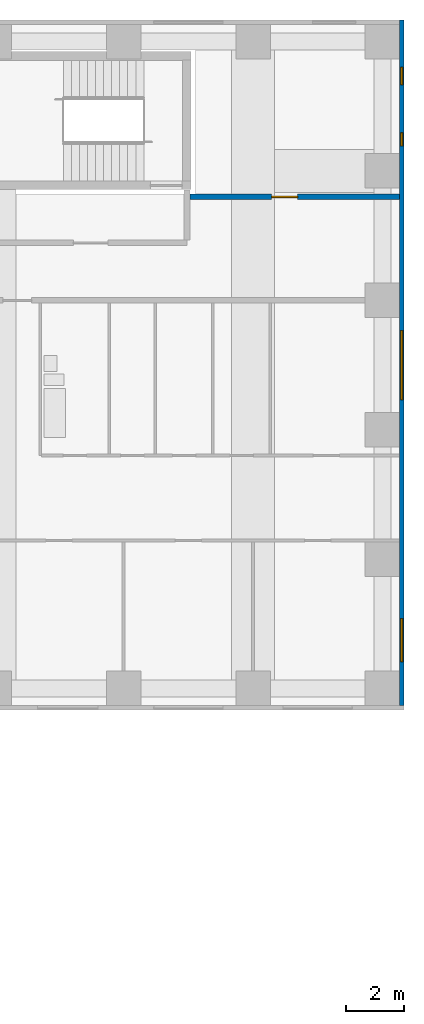
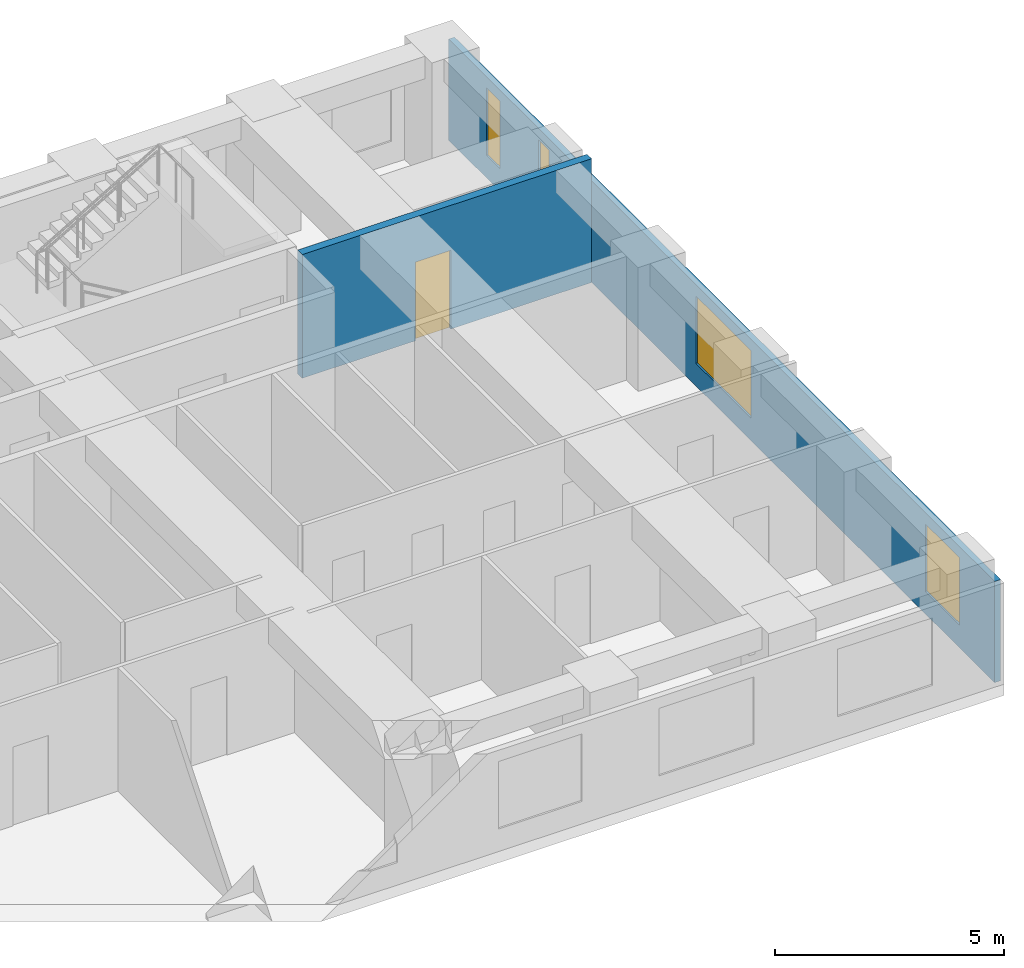
# One storey, part 9 of 12: 4 windows, 2 walls, 1 door, 5 openings.
"""IFC4 building model written with IfcOpenShell, lengths in metres."""

import ifcopenshell
import ifcopenshell.guid

model = None  # the IFC model being written
_history = None  # IfcOwnerHistory: only IFC2X3 demands one
_inside = {}  # id of a spatial element -> (the spatial element, [elements in it])
_under = {}  # id of a project, library or spatial element -> (it, [spatial elements below it])
_declared = {}  # id of a project -> (the project, [libraries it declares])
_typed = {}  # id of a type object -> (the type object, [elements of that type])
_made_of = {}  # id of a material, layer set ... -> (it, [elements and type objects made of it])


def new_model(schema):
    """Start an empty IFC model of exactly this schema.

    Asked for "IFC4X3", IfcOpenShell would pick the latest addendum, in which some entities
    have other attributes; the version numbers below select the first issue.
    IFC2X3 requires an IfcOwnerHistory on every rooted entity: one is made here for all.
    """
    global model, _history
    if schema == "IFC4X3":
        model = ifcopenshell.file(schema_version=(4, 3, 0, 0))
    else:
        model = ifcopenshell.file(schema=schema)
    _inside.clear()
    _under.clear()
    _declared.clear()
    _typed.clear()
    _made_of.clear()
    _history = None
    if model.schema == "IFC2X3":
        org = make("IfcOrganization", Name="unknown")
        user = make(
            "IfcPersonAndOrganization",
            ThePerson=make("IfcPerson", FamilyName="unknown"),
            TheOrganization=org,
        )
        app = make(
            "IfcApplication",
            ApplicationDeveloper=org,
            Version="unknown",
            ApplicationFullName="unknown",
            ApplicationIdentifier="unknown",
        )
        _history = make(
            "IfcOwnerHistory",
            OwningUser=user,
            OwningApplication=app,
            ChangeAction="ADDED",
            CreationDate=0,
        )
    return model


def make(cls, **values):
    """One entity of the class cls with the attributes given. An attribute that is None is left unset."""
    return model.create_entity(
        cls, **{name: value for name, value in values.items() if value is not None}
    )


def rooted(cls, **values):
    """An entity with a GlobalId (a new one), such as an element, a storey or a relation."""
    return make(cls, GlobalId=ifcopenshell.guid.new(), OwnerHistory=_history, **values)


def si_unit(unit_type, name, prefix=None):
    """IfcSIUnit, for example si_unit("LENGTHUNIT", "METRE", prefix="MILLI")."""
    return make("IfcSIUnit", UnitType=unit_type, Prefix=prefix, Name=name)


def assignment(units):
    """IfcUnitAssignment: the units of a project."""
    return None if units is None else make("IfcUnitAssignment", Units=units)


def point(xyz):
    """IfcCartesianPoint."""
    return None if xyz is None else make("IfcCartesianPoint", Coordinates=xyz)


def direction(xyz):
    """IfcDirection."""
    return None if xyz is None else make("IfcDirection", DirectionRatios=xyz)


def frame(location, z_axis=None, x_axis=None):
    """IfcAxis2Placement3D, a coordinate frame: its origin and axes. An axis left out is left unset."""
    return make(
        "IfcAxis2Placement3D",
        Location=point(location),
        Axis=direction(z_axis),
        RefDirection=direction(x_axis),
    )


def frame_2d(location, x_axis=None):
    """IfcAxis2Placement2D, a coordinate frame in the plane: its origin and x axis."""
    return make(
        "IfcAxis2Placement2D", Location=point(location), RefDirection=direction(x_axis)
    )


def origin():
    """The frame at (0, 0, 0) with its axes left unset."""
    return frame((0.0, 0.0, 0.0))


def place(relative_to, where):
    """IfcLocalPlacement: puts the frame where relative to a parent placement (None: the world)."""
    return make(
        "IfcLocalPlacement", PlacementRelTo=relative_to, RelativePlacement=where
    )


def context(
    kind, dimensions, precision=None, world=None, true_north=None, identifier=None
):
    """IfcGeometricRepresentationContext, for example the 3D "Model" context."""
    return make(
        "IfcGeometricRepresentationContext",
        ContextIdentifier=identifier,
        ContextType=kind,
        CoordinateSpaceDimension=dimensions,
        Precision=precision,
        WorldCoordinateSystem=world,
        TrueNorth=true_north,
    )


def subcontext(parent, identifier, kind, view, scale=None):
    """IfcGeometricRepresentationSubContext, for example "Body" below "Model"."""
    return make(
        "IfcGeometricRepresentationSubContext",
        ContextIdentifier=identifier,
        ContextType=kind,
        ParentContext=parent,
        TargetScale=scale,
        TargetView=view,
    )


def project(units=None, contexts=None):
    """IfcProject with its units and contexts."""
    return rooted(
        "IfcProject",
        Name="project",
        RepresentationContexts=contexts,
        UnitsInContext=assignment(units),
    )


def spatial(cls, under=None, at=None, **own):
    """A site, building, storey or space (cls), placed at a placement, below another one or the project."""
    s = rooted(cls, ObjectPlacement=at, **own)
    if under is not None:
        _under.setdefault(under.id(), (under, []))[1].append(s)
    return s


def profile(cls, at=None, kind="AREA", **sizes):
    """A parametric profile (cls). Its sizes go by their IFC names, for example OverallWidth=200.0."""
    return make(cls, ProfileType=kind, Position=at, **sizes)


def rectangle(**sizes):
    """IfcRectangleProfileDef."""
    return profile("IfcRectangleProfileDef", **sizes)


def extrude(swept, where, along, depth):
    """IfcExtrudedAreaSolid: the profile swept, set in the frame where, extruded along a direction by depth."""
    return make(
        "IfcExtrudedAreaSolid",
        SweptArea=swept,
        Position=where,
        ExtrudedDirection=direction(along),
        Depth=depth,
    )


def shape(context_of_items, identifier, shape_type, items):
    """IfcShapeRepresentation: the items that make up one representation, for example the "Body"."""
    return make(
        "IfcShapeRepresentation",
        ContextOfItems=context_of_items,
        RepresentationIdentifier=identifier,
        RepresentationType=shape_type,
        Items=items,
    )


def material(Name=None, Category=None):
    """IfcMaterial."""
    return make("IfcMaterial", Name=Name, Category=Category)


def layer(
    of_material, thickness, ventilated=None, Name=None, Category=None, Priority=None
):
    """IfcMaterialLayer: one layer of a wall or slab, of a material (None: an air gap)."""
    return make(
        "IfcMaterialLayer",
        Material=of_material,
        LayerThickness=thickness,
        IsVentilated=ventilated,
        Name=Name,
        Category=Category,
        Priority=Priority,
    )


def layer_set(layers, Name=None):
    """IfcMaterialLayerSet."""
    return make("IfcMaterialLayerSet", MaterialLayers=layers, LayerSetName=Name)


def made_of(thing, what):
    """Note that an element or type object is made of a material, layer set ...; save() writes the relation."""
    if what is not None:
        _made_of.setdefault(what.id(), (what, []))[1].append(thing)
    return thing


def type_object(cls, material=None, **own):
    """A type object (cls), such as IfcWallType, which elements share."""
    return made_of(rooted(cls, **own), material)


def element(
    cls,
    number,
    at=None,
    inside=None,
    cuts=None,
    type_object=None,
    material=None,
    context=None,
    identifier="Body",
    shape_type=None,
    held_by="IfcProductDefinitionShape",
    body=None,
    shapes=None,
    **own,
):
    """One element of the class cls, such as IfcWall. Its Tag is "e" and its number.

    at: its placement. inside: the storey or other place that contains it. cuts: it is an
    opening in that element (IfcRelVoidsElement). A single representation is given by context,
    identifier, shape_type and body (its items); several are given by shapes. held_by: the class
    of the entity that holds the representations. save() writes the other relations.
    """
    e = rooted(cls, Tag="e%d" % number, ObjectPlacement=at, **own)
    if body is not None:
        shapes = [shape(context, identifier, shape_type, body)]
    if shapes is not None:
        e.Representation = make(held_by, Representations=shapes)
    if inside is not None:
        _inside.setdefault(inside.id(), (inside, []))[1].append(e)
    if cuts is not None:
        rooted(
            "IfcRelVoidsElement", RelatingBuildingElement=cuts, RelatedOpeningElement=e
        )
    if type_object is not None:
        _typed.setdefault(type_object.id(), (type_object, []))[1].append(e)
    return made_of(e, material)


def fill(opening, filler):
    """IfcRelFillsElement: the door or window that sits in an opening."""
    return rooted(
        "IfcRelFillsElement",
        RelatingOpeningElement=opening,
        RelatedBuildingElement=filler,
    )


def aggregate(whole, parts):
    """IfcRelAggregates: a whole, such as a stair, and the parts it consists of."""
    return rooted("IfcRelAggregates", RelatingObject=whole, RelatedObjects=parts)


def save(model, path):
    """Write the relations noted so far, then the file.

    IfcRelAggregates (storeys below a building ...), IfcRelContainedInSpatialStructure (elements
    in a storey), IfcRelDefinesByType, IfcRelAssociatesMaterial and IfcRelDeclares: one each for
    every whole, place, type object, material and project.
    """
    for whole, parts in _under.values():
        aggregate(whole, parts)
    for where, things in _inside.values():
        rooted(
            "IfcRelContainedInSpatialStructure",
            RelatedElements=things,
            RelatingStructure=where,
        )
    for kind, things in _typed.values():
        rooted("IfcRelDefinesByType", RelatedObjects=things, RelatingType=kind)
    for what, things in _made_of.values():
        rooted("IfcRelAssociatesMaterial", RelatedObjects=things, RelatingMaterial=what)
    for by, libraries in _declared.values():
        rooted("IfcRelDeclares", RelatingContext=by, RelatedDefinitions=libraries)
    model.write(path)


model = new_model("IFC4")

# Units and contexts
model_context = context("Model", 3, precision=1e-05, world=origin(), true_north=direction((0.0, 1.0)))
body_context = subcontext(model_context, "Body", "Model", "MODEL_VIEW")
ifc_project = project(units=[si_unit("LENGTHUNIT", "METRE"), si_unit("AREAUNIT", "SQUARE_METRE"), si_unit("VOLUMEUNIT", "CUBIC_METRE"), si_unit("PLANEANGLEUNIT", "RADIAN"), si_unit("MASSUNIT", "GRAM", prefix="KILO")], contexts=[model_context])

# Site, building, storey
site_placement = place(None, origin())
site = spatial("IfcSite", under=ifc_project, at=site_placement, CompositionType="ELEMENT")
building_placement = place(site_placement, origin())
building = spatial("IfcBuilding", under=site, at=building_placement, Name="Firuza Court", CompositionType="ELEMENT")
storey_placement = place(building_placement, frame((0.0, 0.0, 54.199951171875)))
storey = spatial("IfcBuildingStorey", under=building, at=storey_placement, Name="L12", CompositionType="ELEMENT", Elevation=54.199951171875)

# Wall, opening, door
ifc_material_1 = material(Name="Blockwork, plastered both sides", Category="masonry")
ifc_layer_1 = layer(ifc_material_1, 0.199951171875)
ifc_layer_set_1 = layer_set([ifc_layer_1], Name="Blockwork, plastered both sides")
wall_type_1 = type_object("IfcWallType", Name="Corridor wall 200", PredefinedType="PARTITIONING", material=ifc_layer_set_1)
wall_1_placement = place(storey_placement, frame((60.800048828125, 53.10009765625, 0.0), z_axis=(0.0, 0.0, 1.0), x_axis=(1.0, 0.0, 0.0)))
wall_1 = element("IfcWall", 1, at=wall_1_placement, inside=storey, type_object=wall_type_1, Name="Corridor wall 200 L12", PredefinedType="PARTITIONING", context=body_context, shape_type="SweptSolid", body=[
    extrude(rectangle(XDim=7.300048828125, YDim=0.199951171875, at=frame_2d((3.64990234375, 0.0))), origin(), (0.0, 0.0, 1.0), 3.300048828125),
])
opening_1_placement = place(wall_1_placement, frame((2.85009765625, 0.0, 0.0)))
opening_1 = element("IfcOpeningElement", 2, at=opening_1_placement, cuts=wall_1, Name="Opening D12079", PredefinedType="OPENING", context=body_context, shape_type="SweptSolid", body=[
    extrude(rectangle(XDim=0.89990234375, YDim=2.10009765625, at=frame_2d((0.449951171875, 1.050048828125))), frame((0.0, 0.11181640625, 0.0), z_axis=(0.0, -1.0, 0.0), x_axis=(1.0, 0.0, 0.0)), (0.0, 0.0, 1.0), 0.223876953125),
])
ifc_material_2 = material(Name="Timber door leaf in hardwood frame", Category="wood")
door_type = type_object("IfcDoorType", Name="Room door 900 EI 30", OperationType="SINGLE_SWING_LEFT", PredefinedType="DOOR", material=ifc_material_2)
door_placement = place(opening_1_placement, origin())
door = element("IfcDoor", 3, at=door_placement, inside=storey, type_object=door_type, Name="Meeting room door", OperationType="SINGLE_SWING_LEFT", OverallHeight=2.10009765625, OverallWidth=0.89990234375, PredefinedType="DOOR", context=body_context, shape_type="SweptSolid", body=[
    extrude(rectangle(XDim=0.89990234375, YDim=2.10009765625, at=frame_2d((0.449951171875, 1.050048828125))), frame((0.0, 0.02490234375, 0.0), z_axis=(0.0, -1.0, 0.0), x_axis=(1.0, 0.0, 0.0)), (0.0, 0.0, 1.0), 0.050048828125),
])
fill(opening_1, door)

# Wall, openings, windows
ifc_material_3 = material(Name="Ceramic tile", Category="ceramic")
ifc_layer_2 = layer(ifc_material_3, 0.02001953125)
ifc_material_4 = material(Name="Mineral wool insulation", Category="insulation")
ifc_layer_3 = layer(ifc_material_4, 0.050048828125)
ifc_material_5 = material(Name="Concrete C40/50 precast", Category="concrete")
ifc_layer_4 = layer(ifc_material_5, 0.080078125)
ifc_layer_set_2 = layer_set([ifc_layer_2, ifc_layer_3, ifc_layer_4], Name="Concrete C40/50 precast")
wall_type_2 = type_object("IfcWallType", Name="Precast cladding wall with turquoise TILE PANEL face 150", PredefinedType="STANDARD", material=ifc_layer_set_2)
wall_2_placement = place(storey_placement, frame((68.175048828125, 35.39990234375, 0.0), z_axis=(0.0, 0.0, 1.0), x_axis=(0.0, 1.0, 0.0)))
wall_2 = element("IfcWall", 4, at=wall_2_placement, inside=storey, type_object=wall_type_2, Name="Facade wall L12 E", PredefinedType="STANDARD", context=body_context, shape_type="SweptSolid", body=[
    extrude(rectangle(XDim=23.85009765625, YDim=0.14990234375, at=frame_2d((11.925048828125, 0.0))), origin(), (0.0, 0.0, 1.0), 2.699951171875),
])
opening_2_placement = place(wall_2_placement, frame((1.529541015625, 0.0, 0.60009765625)))
opening_2 = element("IfcOpeningElement", 5, at=opening_2_placement, cuts=wall_2, Name="Opening W2", PredefinedType="OPENING", context=body_context, shape_type="SweptSolid", body=[
    extrude(rectangle(XDim=1.5, YDim=1.800048828125, at=frame_2d((0.75, 0.89990234375))), frame((0.0, 0.0869140625, 0.0), z_axis=(0.0, -1.0, 0.0), x_axis=(1.0, 0.0, 0.0)), (0.0, 0.0, 1.0), 0.173828125),
])
opening_3_placement = place(wall_2_placement, frame((10.64990234375, 0.0, 0.60009765625)))
opening_3 = element("IfcOpeningElement", 6, at=opening_3_placement, cuts=wall_2, Name="Opening W1", PredefinedType="OPENING", context=body_context, shape_type="SweptSolid", body=[
    extrude(rectangle(XDim=2.39990234375, YDim=1.800048828125, at=frame_2d((1.199951171875, 0.89990234375))), frame((0.0, 0.0869140625, 0.0), z_axis=(0.0, -1.0, 0.0), x_axis=(1.0, 0.0, 0.0)), (0.0, 0.0, 1.0), 0.173828125),
])
opening_4_placement = place(wall_2_placement, frame((19.47021484375, 0.0, 0.60009765625)))
opening_4 = element("IfcOpeningElement", 7, at=opening_4_placement, cuts=wall_2, Name="Opening W5", PredefinedType="OPENING", context=body_context, shape_type="SweptSolid", body=[
    extrude(rectangle(XDim=0.449951171875, YDim=1.800048828125, at=frame_2d((0.22509765625, 0.89990234375))), frame((0.0, 0.0869140625, 0.0), z_axis=(0.0, -1.0, 0.0), x_axis=(1.0, 0.0, 0.0)), (0.0, 0.0, 1.0), 0.173828125),
])
opening_5_placement = place(wall_2_placement, frame((21.6005859375, 0.0, 0.60009765625)))
opening_5 = element("IfcOpeningElement", 8, at=opening_5_placement, cuts=wall_2, Name="Opening W4", PredefinedType="OPENING", context=body_context, shape_type="SweptSolid", body=[
    extrude(rectangle(XDim=0.60009765625, YDim=1.800048828125, at=frame_2d((0.300048828125, 0.89990234375))), frame((0.0, 0.0869140625, 0.0), z_axis=(0.0, -1.0, 0.0), x_axis=(1.0, 0.0, 0.0)), (0.0, 0.0, 1.0), 0.173828125),
])
ifc_material_6 = material(Name="Aluminium frame, triple clear glazing", Category="aluminium")
window_type_1 = type_object("IfcWindowType", Name="Window W1 2400 x 1800", PartitioningType="SINGLE_PANEL", PredefinedType="WINDOW", material=ifc_material_6)
window_1_placement = place(opening_3_placement, origin())
window_1 = element("IfcWindow", 9, at=window_1_placement, inside=storey, type_object=window_type_1, Name="Window L12", OverallHeight=1.800048828125, OverallWidth=2.39990234375, PartitioningType="SINGLE_PANEL", PredefinedType="WINDOW", context=body_context, shape_type="SweptSolid", body=[
    extrude(rectangle(XDim=2.39990234375, YDim=1.800048828125, at=frame_2d((1.199951171875, 0.89990234375))), frame((0.0, 0.030029296875, 0.0), z_axis=(0.0, -1.0, 0.0), x_axis=(1.0, 0.0, 0.0)), (0.0, 0.0, 1.0), 0.06005859375),
])
fill(opening_3, window_1)
ifc_material_7 = material(Name="Aluminium frame, triple clear glazing", Category="aluminium")
window_type_2 = type_object("IfcWindowType", Name="Window W2 1500 x 1800", PartitioningType="SINGLE_PANEL", PredefinedType="WINDOW", material=ifc_material_7)
window_2_placement = place(opening_2_placement, origin())
window_2 = element("IfcWindow", 10, at=window_2_placement, inside=storey, type_object=window_type_2, Name="Window L12", OverallHeight=1.800048828125, OverallWidth=1.5, PartitioningType="SINGLE_PANEL", PredefinedType="WINDOW", context=body_context, shape_type="SweptSolid", body=[
    extrude(rectangle(XDim=1.5, YDim=1.800048828125, at=frame_2d((0.75, 0.89990234375))), frame((0.0, 0.030029296875, 0.0), z_axis=(0.0, -1.0, 0.0), x_axis=(1.0, 0.0, 0.0)), (0.0, 0.0, 1.0), 0.06005859375),
])
fill(opening_2, window_2)
ifc_material_8 = material(Name="Aluminium frame, triple clear glazing", Category="aluminium")
window_type_3 = type_object("IfcWindowType", Name="Window W4 600 x 1800", PartitioningType="SINGLE_PANEL", PredefinedType="WINDOW", material=ifc_material_8)
window_3_placement = place(opening_5_placement, origin())
window_3 = element("IfcWindow", 11, at=window_3_placement, inside=storey, type_object=window_type_3, Name="Window L12", OverallHeight=1.800048828125, OverallWidth=0.60009765625, PartitioningType="SINGLE_PANEL", PredefinedType="WINDOW", context=body_context, shape_type="SweptSolid", body=[
    extrude(rectangle(XDim=0.60009765625, YDim=1.800048828125, at=frame_2d((0.300048828125, 0.89990234375))), frame((0.0, 0.030029296875, 0.0), z_axis=(0.0, -1.0, 0.0), x_axis=(1.0, 0.0, 0.0)), (0.0, 0.0, 1.0), 0.06005859375),
])
fill(opening_5, window_3)
ifc_material_9 = material(Name="Aluminium frame, triple clear glazing", Category="aluminium")
window_type_4 = type_object("IfcWindowType", Name="Window W5 450 x 1800", PartitioningType="SINGLE_PANEL", PredefinedType="WINDOW", material=ifc_material_9)
window_4_placement = place(opening_4_placement, origin())
window_4 = element("IfcWindow", 12, at=window_4_placement, inside=storey, type_object=window_type_4, Name="Window L12", OverallHeight=1.800048828125, OverallWidth=0.449951171875, PartitioningType="SINGLE_PANEL", PredefinedType="WINDOW", context=body_context, shape_type="SweptSolid", body=[
    extrude(rectangle(XDim=0.449951171875, YDim=1.800048828125, at=frame_2d((0.22509765625, 0.89990234375))), frame((0.0, 0.030029296875, 0.0), z_axis=(0.0, -1.0, 0.0), x_axis=(1.0, 0.0, 0.0)), (0.0, 0.0, 1.0), 0.06005859375),
])
fill(opening_4, window_4)

save(model, "model.ifc")
